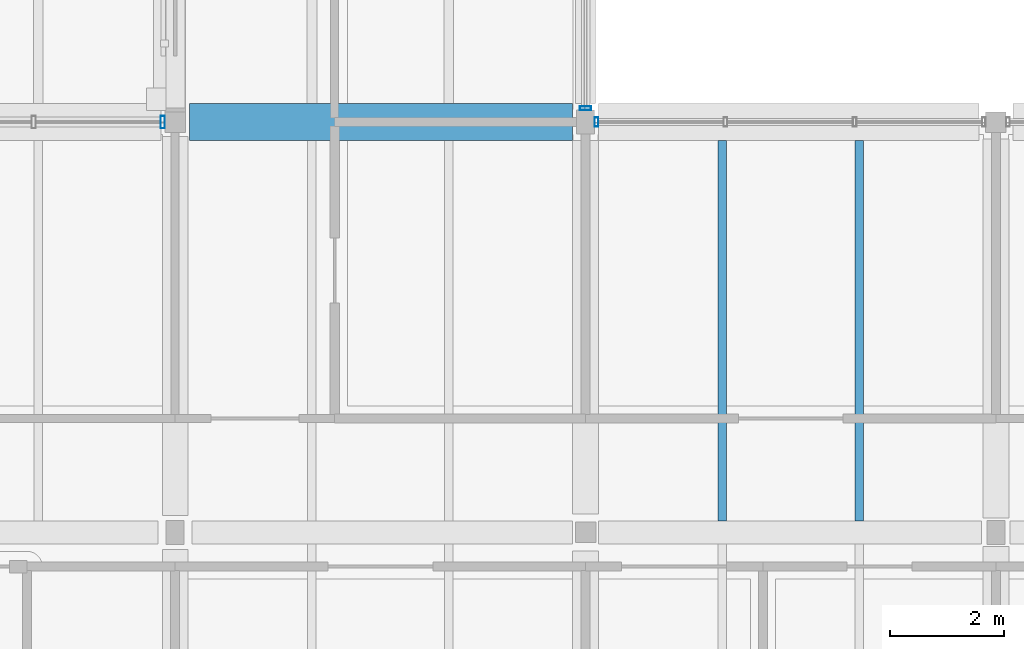
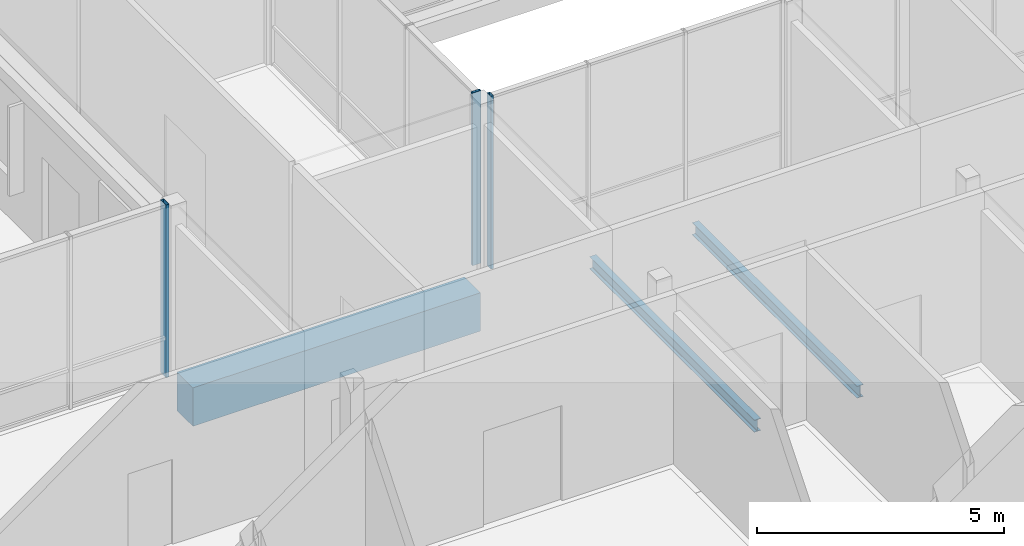
# One storey, part 20 of 146: 3 beams, 3 members, 3 elements without a shape of their own.
"""IFC4 building model written with IfcOpenShell, lengths in metres."""

from ifc_helpers import new_model, si_unit, direction, frame, origin, origin_2d, place, context, subcontext, project, spatial, rectangle, hollow_rectangle, i_section, extrude, material, material_profile, profile_set, type_object, element, aggregate, save


model = new_model("IFC4")

# Units and contexts
model_context = context("Model", 3, precision=1e-05, world=origin(), true_north=direction((0.0, 1.0)))
body_context = subcontext(model_context, "Body", "Model", "MODEL_VIEW")
ifc_project = project(units=[si_unit("LENGTHUNIT", "METRE"), si_unit("AREAUNIT", "SQUARE_METRE"), si_unit("VOLUMEUNIT", "CUBIC_METRE"), si_unit("PLANEANGLEUNIT", "RADIAN"), si_unit("MASSUNIT", "GRAM", prefix="KILO")], contexts=[model_context])

# Site, building, storey
site_placement = place(None, origin())
site = spatial("IfcSite", under=ifc_project, at=site_placement, CompositionType="ELEMENT")
building_placement = place(site_placement, origin())
building = spatial("IfcBuilding", under=site, at=building_placement, Name="Hawrajan Terrace Health Centre", CompositionType="ELEMENT")
storey_placement = place(building_placement, frame((0.0, 0.0, 4.5)))
storey = spatial("IfcBuildingStorey", under=building, at=storey_placement, Name="L01", CompositionType="ELEMENT", Elevation=4.5)

# Curtain wall, member
ifc_material_1 = material(Name="Anodized bronze aluminium and low-E solar glazing", Category="aluminium")
curtain_wall_type_1 = type_object("IfcCurtainWallType", Name="CW_CourtNS_SeriesC3", PredefinedType="USERDEFINED", material=ifc_material_1)
curtain_wall_1_placement = place(storey_placement, origin())
curtain_wall_1 = element("IfcCurtainWall", 1, at=curtain_wall_1_placement, inside=storey, type_object=curtain_wall_type_1, Name="Curtain wall CW-L01-057", ObjectType="UNITISED CURTAIN WALL", PredefinedType="USERDEFINED")
ifc_material_2 = material(Name="Anodized bronze aluminium 6063-T6", Category="aluminium")
ifc_material_profile_1 = material_profile(ifc_material_2, hollow_rectangle(XDim=0.06494140625, YDim=0.159912109375, WallThickness=0.00390625, at=origin_2d()), Name="CW MUL 65x160")
ifc_profile_set_1 = profile_set([ifc_material_profile_1], Name="Anodized bronze aluminium 6063-T6")
member_type_1 = type_object("IfcMemberType", Name="CWMullion_65x160", PredefinedType="MULLION", material=ifc_profile_set_1)
member_1_placement = place(storey_placement, frame((26.392578125, 18.60009765625, -0.0048828125), z_axis=(0.0, 0.0, 1.0), x_axis=(1.0, 0.0, 0.0)))
member_1 = element("IfcMember", 2, at=member_1_placement, type_object=member_type_1, Name="Mullion CW-L01-057-M1", PredefinedType="MULLION", context=body_context, shape_type="SweptSolid", body=[
    extrude(hollow_rectangle(XDim=0.06494140625, YDim=0.159912109375, WallThickness=0.00390625, at=origin_2d()), origin(), (0.0, 0.0, 1.0), 4.269775390625),
])
aggregate(curtain_wall_1, [member_1])

curtain_wall_type_2 = type_object("IfcCurtainWallType", Name="CW_CourtNS_SeriesC1", PredefinedType="USERDEFINED", material=ifc_material_1)
curtain_wall_2_placement = place(storey_placement, origin())
curtain_wall_2 = element("IfcCurtainWall", 3, at=curtain_wall_2_placement, inside=storey, type_object=curtain_wall_type_2, Name="Curtain wall CW-L01-055", ObjectType="UNITISED CURTAIN WALL", PredefinedType="USERDEFINED")
ifc_material_profile_2 = material_profile(ifc_material_2, hollow_rectangle(XDim=0.06494140625, YDim=0.199951171875, WallThickness=0.00439453125, at=origin_2d()), Name="CW MUL 65x200")
ifc_profile_set_2 = profile_set([ifc_material_profile_2], Name="Anodized bronze aluminium 6063-T6")
member_type_2 = type_object("IfcMemberType", Name="CWMullion_65x200", PredefinedType="MULLION", material=ifc_profile_set_2)
member_2_placement = place(storey_placement, frame((26.199951171875, 18.842529296875, -0.0048828125), z_axis=(0.0, 0.0, 1.0), x_axis=(0.0, 1.0, 0.0)))
member_2 = element("IfcMember", 4, at=member_2_placement, type_object=member_type_2, Name="Mullion CW-L01-055-M1", PredefinedType="MULLION", context=body_context, shape_type="SweptSolid", body=[
    extrude(hollow_rectangle(XDim=0.06494140625, YDim=0.199951171875, WallThickness=0.00439453125, at=origin_2d()), origin(), (0.0, 0.0, 1.0), 4.269775390625),
])
aggregate(curtain_wall_2, [member_2])

curtain_wall_type_3 = type_object("IfcCurtainWallType", Name="CW_Court_SeriesB2", PredefinedType="USERDEFINED", material=ifc_material_1)
curtain_wall_3_placement = place(storey_placement, origin())
curtain_wall_3 = element("IfcCurtainWall", 5, at=curtain_wall_3_placement, inside=storey, type_object=curtain_wall_type_3, Name="Curtain wall CW-L01-053", ObjectType="UNITISED CURTAIN WALL", PredefinedType="USERDEFINED")
ifc_material_profile_3 = material_profile(ifc_material_2, hollow_rectangle(XDim=0.074951171875, YDim=0.219970703125, WallThickness=0.0048828125, at=origin_2d()), Name="CW MUL 75x220")
ifc_profile_set_3 = profile_set([ifc_material_profile_3], Name="Anodized bronze aluminium 6063-T6")
member_type_3 = type_object("IfcMemberType", Name="CWMullion_75x220", PredefinedType="MULLION", material=ifc_profile_set_3)
member_3_placement = place(storey_placement, frame((18.782470703125, 18.60009765625, -0.0048828125), z_axis=(0.0, 0.0, 1.0), x_axis=(1.0, 0.0, 0.0)))
member_3 = element("IfcMember", 6, at=member_3_placement, type_object=member_type_3, Name="Mullion CW-L01-053-M4", PredefinedType="MULLION", context=body_context, shape_type="SweptSolid", body=[
    extrude(hollow_rectangle(XDim=0.074951171875, YDim=0.219970703125, WallThickness=0.0048828125, at=origin_2d()), origin(), (0.0, 0.0, 1.0), 4.269775390625),
])
aggregate(curtain_wall_3, [member_3])

# Beams
ifc_material_3 = material(Name="Concrete C40/50", Category="concrete")
ifc_material_profile_4 = material_profile(ifc_material_3, rectangle(XDim=0.64990234375, YDim=0.949951171875, at=origin_2d()), Name="RC TG 650x950")
ifc_profile_set_4 = profile_set([ifc_material_profile_4], Name="Concrete C40/50")
beam_type_1 = type_object("IfcBeamType", Name="RCTransferGirder_650x950", PredefinedType="BEAM", material=ifc_profile_set_4)
beam_placement = place(storey_placement, frame((19.25, 18.60009765625, -0.77490234375), z_axis=(1.0, 0.0, 0.0), x_axis=(0.0, 1.0, 0.0)))
element("IfcBeam", 7, at=beam_placement, inside=storey, type_object=beam_type_1, Name="Beam BM-X-L01-W-03-Y3", PredefinedType="BEAM", context=body_context, shape_type="SweptSolid", body=[
    extrude(rectangle(XDim=0.64990234375, YDim=0.949951171875, at=origin_2d()), origin(), (0.0, 0.0, 1.0), 6.72509765625),
])
ifc_material_4 = material(Name="Steel S355", Category="steel")
ifc_material_profile_5 = material_profile(ifc_material_4, i_section(OverallWidth=0.14990234375, OverallDepth=0.300048828125, WebThickness=0.007080078125, FlangeThickness=0.0107421875, FilletRadius=0.014892578125, at=origin_2d()), Name="IPE 300")
ifc_profile_set_5 = profile_set([ifc_material_profile_5], Name="Steel S355")
beam_type_2 = type_object("IfcBeamType", Name="SteelBeam_IPE300", PredefinedType="JOIST", material=ifc_profile_set_5)
for number, where, z_axis, x_axis, name in (
    (8, (28.60009765625, 11.60009765625, -0.449951171875), (0.0, 1.0, 0.0), (-1.0, 0.0, 0.0), "Secondary joist JST-L01-W-04-2-1"),
    (9, (31.0, 11.60009765625, -0.449951171875), (0.0, 1.0, 0.0), (-1.0, 0.0, 0.0), "Secondary joist JST-L01-W-04-2-2"),
):
    element("IfcBeam", number, at=place(storey_placement, frame(where, z_axis=z_axis, x_axis=x_axis)), inside=storey, type_object=beam_type_2, Name=name, PredefinedType="JOIST", context=body_context, shape_type="SweptSolid", body=[
        extrude(i_section(OverallWidth=0.14990234375, OverallDepth=0.300048828125, WebThickness=0.007080078125, FlangeThickness=0.0107421875, FilletRadius=0.014892578125, at=origin_2d()), origin(), (0.0, 0.0, 1.0), 6.6748046875),
    ])

save(model, "model.ifc")
